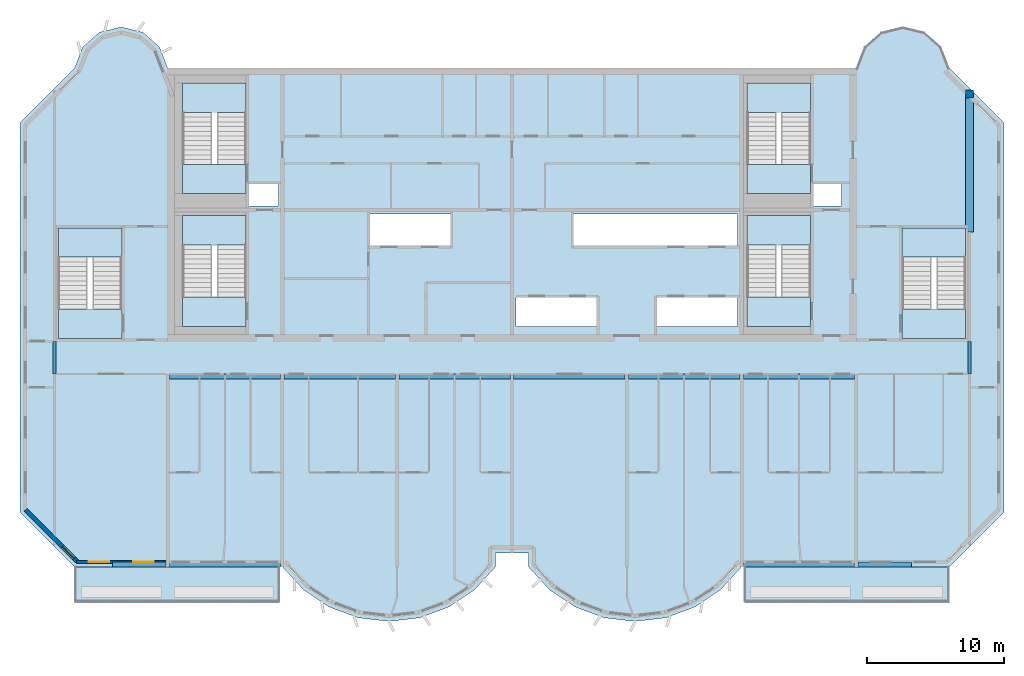
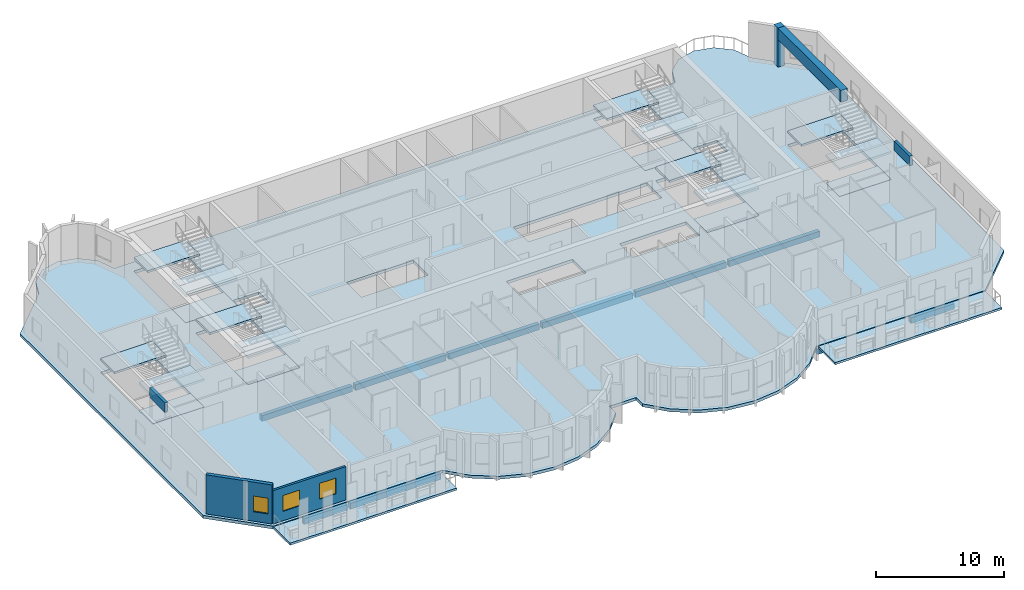
# One storey, part 1 of 11: 21 slabs, 13 beams, 3 windows, 2 walls, 1 column, 3 openings, 6 elements without a shape of their own.
"""IFC4 building model written with IfcOpenShell, lengths in metres."""

from ifc_helpers import new_model, si_unit, direction, frame, frame_2d, origin, origin_2d, place, context, subcontext, project, spatial, polyline, rectangle, outline, extrude, source, transform, mapped, material, layer, layer_set, material_profile, profile_set, type_object, element, fill, aggregate, save


model = new_model("IFC4")

# Units and contexts
model_context = context("Model", 3, precision=1e-05, world=origin(), true_north=direction((0.0, 1.0)))
body_context = subcontext(model_context, "Body", "Model", "MODEL_VIEW")
ifc_project = project(units=[si_unit("LENGTHUNIT", "METRE"), si_unit("AREAUNIT", "SQUARE_METRE"), si_unit("VOLUMEUNIT", "CUBIC_METRE"), si_unit("PLANEANGLEUNIT", "RADIAN"), si_unit("MASSUNIT", "GRAM", prefix="KILO")], contexts=[model_context])

# Site, building, storey
site_placement = place(None, origin())
site = spatial("IfcSite", under=ifc_project, at=site_placement, CompositionType="ELEMENT")
building_placement = place(site_placement, origin())
building = spatial("IfcBuilding", under=site, at=building_placement, Name="Vanashikhar Sky Hotel", CompositionType="ELEMENT")
storey_placement = place(building_placement, frame((0.0, 0.0, 305.699951171875)))
storey = spatial("IfcBuildingStorey", under=building, at=storey_placement, Name="L73", CompositionType="ELEMENT", Elevation=305.699951171875)

# Column
ifc_material_1 = material(Name="Concrete M50", Category="concrete")
ifc_material_profile_1 = material_profile(ifc_material_1, rectangle(XDim=0.60009765625, YDim=0.60009765625, at=origin_2d()))
ifc_profile_set_1 = profile_set([ifc_material_profile_1], Name="RC 600x600 column Concrete M50")
column_type = type_object("IfcColumnType", Name="RC 600x600 column Concrete M50", PredefinedType="COLUMN", material=ifc_profile_set_1)
shared_shape_1 = source(origin(), body_context, "Body", "SweptSolid", [
    extrude(rectangle(XDim=0.60009765625, YDim=0.60009765625, at=origin_2d()), origin(), (0.0, 0.0, 1.0), 3.719970703125),
])
column_placement = place(storey_placement, frame((83.875, 40.10009765625, 0.0), z_axis=(0.0, 0.0, 1.0), x_axis=(1.0, 0.0, 0.0)))
element("IfcColumn", 1, at=column_placement, inside=storey, type_object=column_type, Name="CL-L73-CRF", PredefinedType="COLUMN", context=body_context, shape_type="MappedRepresentation", body=[
    mapped(shared_shape_1, transform((0.0, 0.0, 0.0), scale=1.0)),
])

# Beams
ifc_material_profile_2 = material_profile(ifc_material_1, rectangle(XDim=0.60009765625, YDim=1.10009765625, at=origin_2d()))
ifc_profile_set_2 = profile_set([ifc_material_profile_2], Name="RC 600x1100 beam Concrete M50")
beam_type_1 = type_object("IfcBeamType", Name="RC 600x1100 beam Concrete M50", PredefinedType="BEAM", material=ifc_profile_set_2)
shared_shape_2 = source(origin(), body_context, "Body", "SweptSolid", [
    extrude(rectangle(XDim=0.60009765625, YDim=1.10009765625, at=origin_2d()), origin(), (0.0, 0.0, 1.0), 9.800048828125),
])
beam_placement = place(storey_placement, frame((83.875, 30.0, 3.170166015625), z_axis=(0.0, 1.0, 0.0), x_axis=(-1.0, 0.0, 0.0)))
element("IfcBeam", 2, at=beam_placement, inside=storey, type_object=beam_type_1, Name="LB-L73-XW11-O1", PredefinedType="BEAM", context=body_context, shape_type="MappedRepresentation", body=[
    mapped(shared_shape_2, transform((0.0, 0.0, 0.0), scale=1.0)),
])
ifc_material_profile_3 = material_profile(ifc_material_1, rectangle(XDim=0.25, YDim=0.89990234375, at=origin_2d()))
ifc_profile_set_3 = profile_set([ifc_material_profile_3], Name="RC 250x900 beam Concrete M50")
beam_type_2 = type_object("IfcBeamType", Name="RC 250x900 beam Concrete M50", PredefinedType="LINTEL", material=ifc_profile_set_3)
shared_shape_3 = source(origin(), body_context, "Body", "SweptSolid", [
    extrude(rectangle(XDim=0.25, YDim=0.89990234375, at=origin_2d()), origin(), (0.0, 0.0, 1.0), 2.39990234375),
])
for number, where, z_axis, x_axis, name in (
    (3, (16.925048828125, 19.60009765625, 3.27001953125), (0.0, 1.0, 0.0), (-1.0, 0.0, 0.0), "LB-L73-XW03"),
    (4, (83.875, 19.60009765625, 3.27001953125), (0.0, 1.0, 0.0), (-1.0, 0.0, 0.0), "LB-L73-XW11"),
):
    element("IfcBeam", number, at=place(storey_placement, frame(where, z_axis=z_axis, x_axis=x_axis)), inside=storey, type_object=beam_type_2, Name=name, PredefinedType="LINTEL", context=body_context, shape_type="MappedRepresentation", body=[
        mapped(shared_shape_3, transform((0.0, 0.0, 0.0), scale=1.0)),
    ])
ifc_material_profile_4 = material_profile(ifc_material_1, rectangle(XDim=0.35009765625, YDim=0.550048828125, at=origin_2d()))
ifc_profile_set_4 = profile_set([ifc_material_profile_4], Name="RC 350x550 beam Concrete M50")
beam_type_3 = type_object("IfcBeamType", Name="RC 350x550 beam Concrete M50", PredefinedType="SPANDREL", material=ifc_profile_set_4)
shared_shape_4 = source(origin(), body_context, "Body", "SweptSolid", [
    extrude(rectangle(XDim=0.35009765625, YDim=0.550048828125, at=origin_2d()), origin(), (0.0, 0.0, 1.0), 8.150146484375),
])
for number, where, z_axis, x_axis, name in (
    (5, (25.324951171875, 5.675048828125, -0.554931640625), (1.0, 0.0, 0.0), (0.0, 1.0, 0.0), "EB-L73-F01"),
    (6, (67.324951171875, 5.675048828125, -0.554931640625), (1.0, 0.0, 0.0), (0.0, 1.0, 0.0), "EB-L73-F03"),
    (7, (25.324951171875, 19.425048828125, -0.554931640625), (1.0, 0.0, 0.0), (0.0, 1.0, 0.0), "CB-L73-01"),
    (8, (50.52490234375, 19.425048828125, -0.554931640625), (1.0, 0.0, 0.0), (0.0, 1.0, 0.0), "CB-L73-04"),
    (9, (67.324951171875, 19.425048828125, -0.554931640625), (1.0, 0.0, 0.0), (0.0, 1.0, 0.0), "CB-L73-06"),
):
    element("IfcBeam", number, at=place(storey_placement, frame(where, z_axis=z_axis, x_axis=x_axis)), inside=storey, type_object=beam_type_3, Name=name, PredefinedType="SPANDREL", context=body_context, shape_type="MappedRepresentation", body=[
        mapped(shared_shape_4, transform((0.0, 0.0, 0.0), scale=1.0)),
    ])
ifc_material_profile_5 = material_profile(ifc_material_1, rectangle(XDim=0.35009765625, YDim=0.550048828125, at=origin_2d()))
ifc_profile_set_5 = profile_set([ifc_material_profile_5], Name="RC 350x550 cantilever beam Concrete M50")
beam_type_4 = type_object("IfcBeamType", Name="RC 350x550 cantilever beam Concrete M50", PredefinedType="SPANDREL", material=ifc_profile_set_5)
shared_shape_5 = source(origin(), body_context, "Body", "SweptSolid", [
    extrude(rectangle(XDim=0.35009765625, YDim=0.550048828125, at=origin_2d()), origin(), (0.0, 0.0, 1.0), 3.89990234375),
])
for number, where, z_axis, x_axis, name in (
    (10, (21.175048828125, 5.675048828125, -0.554931640625), (1.0, 0.0, 0.0), (0.0, 1.0, 0.0), "EB-L73-F02"),
    (11, (75.72509765625, 5.675048828125, -0.554931640625), (1.0, 0.0, 0.0), (0.0, 1.0, 0.0), "EB-L73-F04"),
):
    element("IfcBeam", number, at=place(storey_placement, frame(where, z_axis=z_axis, x_axis=x_axis)), inside=storey, type_object=beam_type_4, Name=name, PredefinedType="SPANDREL", context=body_context, shape_type="MappedRepresentation", body=[
        mapped(shared_shape_5, transform((0.0, 0.0, 0.0), scale=1.0)),
    ])
shared_shape_6 = source(origin(), body_context, "Body", "SweptSolid", [
    extrude(rectangle(XDim=0.35009765625, YDim=0.550048828125, at=origin_2d()), origin(), (0.0, 0.0, 1.0), 8.14990234375),
])
for number, where, z_axis, x_axis, name in (
    (12, (33.72509765625, 19.425048828125, -0.554931640625), (1.0, 0.0, 0.0), (0.0, 1.0, 0.0), "CB-L73-02"),
    (13, (42.125, 19.425048828125, -0.554931640625), (1.0, 0.0, 0.0), (0.0, 1.0, 0.0), "CB-L73-03"),
    (14, (58.925048828125, 19.425048828125, -0.554931640625), (1.0, 0.0, 0.0), (0.0, 1.0, 0.0), "CB-L73-05"),
):
    element("IfcBeam", number, at=place(storey_placement, frame(where, z_axis=z_axis, x_axis=x_axis)), inside=storey, type_object=beam_type_3, Name=name, PredefinedType="SPANDREL", context=body_context, shape_type="MappedRepresentation", body=[
        mapped(shared_shape_6, transform((0.0, 0.0, 0.0), scale=1.0)),
    ])

# Slabs
ifc_material_2 = material(Name="Concrete M40", Category="concrete")
ifc_layer_1 = layer(ifc_material_2, 0.280029296875)
ifc_layer_set_1 = layer_set([ifc_layer_1], Name="Floor slab 280 mm")
slab_type_1 = type_object("IfcSlabType", Name="Floor slab 280 mm", PredefinedType="FLOOR", material=ifc_layer_set_1)
shared_shape_7 = source(origin(), body_context, "Body", "SweptSolid", [
    extrude(outline(polyline([(49.199951171875, 5.5), (49.199951171875, 6.5), (51.60009765625, 6.5), (51.60009765625, 5.5), (53.133056640625, 3.825927734375), (55.01708984375, 2.55810546875), (57.14599609375, 1.76806640625), (59.39990234375, 1.5), (61.654052734375, 1.76806640625), (63.782958984375, 2.55810546875), (65.6669921875, 3.825927734375), (67.199951171875, 5.5), (82.39990234375, 5.5), (86.39990234375, 9.5), (86.39990234375, 38.0), (82.39990234375, 42.0), (81.81494140625, 43.527099609375), (80.587890625, 44.610107421875), (79.0, 45.0), (77.412109375, 44.610107421875), (76.18505859375, 43.527099609375), (75.60009765625, 42.0), (25.199951171875, 42.0), (24.614990234375, 43.527099609375), (23.387939453125, 44.610107421875), (21.800048828125, 45.0), (20.2119140625, 44.610107421875), (18.985107421875, 43.527099609375), (18.39990234375, 42.0), (14.39990234375, 38.0), (14.39990234375, 9.5), (18.39990234375, 5.5), (33.60009765625, 5.5), (35.133056640625, 3.825927734375), (37.01708984375, 2.55810546875), (39.14599609375, 1.76806640625), (41.39990234375, 1.5), (43.654052734375, 1.76806640625), (45.782958984375, 2.55810546875), (47.6669921875, 3.825927734375), (49.199951171875, 5.5)]), holes=[polyline([(33.300048828125, 33.60009765625), (31.050048828125, 33.60009765625), (31.050048828125, 31.89990234375), (33.300048828125, 31.89990234375), (33.300048828125, 33.60009765625)]), polyline([(39.89990234375, 31.300048828125), (39.89990234375, 29.0), (45.89990234375, 29.0), (45.89990234375, 31.300048828125), (39.89990234375, 31.300048828125)]), polyline([(50.699951171875, 25.199951171875), (50.699951171875, 23.10009765625), (56.699951171875, 23.10009765625), (56.699951171875, 25.199951171875), (50.699951171875, 25.199951171875)]), polyline([(66.89990234375, 29.0), (66.89990234375, 31.300048828125), (54.89990234375, 31.300048828125), (54.89990234375, 29.0), (66.89990234375, 29.0)]), polyline([(60.89990234375, 25.199951171875), (60.89990234375, 23.10009765625), (66.89990234375, 23.10009765625), (66.89990234375, 25.199951171875), (60.89990234375, 25.199951171875)]), polyline([(74.5, 33.60009765625), (72.35009765625, 33.60009765625), (72.35009765625, 31.89990234375), (74.5, 31.89990234375), (74.5, 33.60009765625)]), polyline([(30.949951171875, 23.10009765625), (30.949951171875, 31.199951171875), (26.300048828125, 31.199951171875), (26.300048828125, 23.10009765625), (30.949951171875, 23.10009765625)]), polyline([(72.25, 23.10009765625), (72.25, 31.199951171875), (67.60009765625, 31.199951171875), (67.60009765625, 23.10009765625), (72.25, 23.10009765625)]), polyline([(30.949951171875, 32.800048828125), (30.949951171875, 40.89990234375), (26.300048828125, 40.89990234375), (26.300048828125, 32.800048828125), (30.949951171875, 32.800048828125)]), polyline([(72.25, 32.800048828125), (72.25, 40.89990234375), (67.60009765625, 40.89990234375), (67.60009765625, 32.800048828125), (72.25, 32.800048828125)]), polyline([(83.60009765625, 22.199951171875), (83.60009765625, 30.300048828125), (78.949951171875, 30.300048828125), (78.949951171875, 22.199951171875), (83.60009765625, 22.199951171875)]), polyline([(21.85009765625, 22.199951171875), (21.85009765625, 30.300048828125), (17.199951171875, 30.300048828125), (17.199951171875, 22.199951171875), (21.85009765625, 22.199951171875)])]), origin(), (0.0, 0.0, 1.0), 0.280029296875),
])
slab_1_placement = place(storey_placement, frame((0.0, 0.0, -0.280029296875)))
element("IfcSlab", 15, at=slab_1_placement, inside=storey, type_object=slab_type_1, Name="Floor slab L73", PredefinedType="FLOOR", context=body_context, shape_type="MappedRepresentation", body=[
    mapped(shared_shape_7, transform((0.0, 0.0, 0.0), scale=1.0)),
])
ifc_layer_2 = layer(ifc_material_2, 0.199951171875)
ifc_layer_set_2 = layer_set([ifc_layer_2], Name="Balcony slab 200 mm")
slab_type_2 = type_object("IfcSlabType", Name="Balcony slab 200 mm", PredefinedType="USERDEFINED", material=ifc_layer_set_2)
shared_shape_8 = source(origin(), body_context, "Body", "SweptSolid", [
    extrude(outline(polyline([(18.39990234375, 2.89990234375), (33.39990234375, 2.89990234375), (33.39990234375, 5.5), (18.39990234375, 5.5), (18.39990234375, 2.89990234375)])), origin(), (0.0, 0.0, 1.0), 0.199951171875),
])
slab_2_placement = place(storey_placement, frame((0.0, 0.0, -0.25)))
element("IfcSlab", 16, at=slab_2_placement, inside=storey, type_object=slab_type_2, Name="Balcony slab L73 1", ObjectType="BALCONY", PredefinedType="USERDEFINED", context=body_context, shape_type="MappedRepresentation", body=[
    mapped(shared_shape_8, transform((0.0, 0.0, 0.0), scale=1.0)),
])
shared_shape_9 = source(origin(), body_context, "Body", "SweptSolid", [
    extrude(outline(polyline([(67.39990234375, 2.89990234375), (82.39990234375, 2.89990234375), (82.39990234375, 5.5), (67.39990234375, 5.5), (67.39990234375, 2.89990234375)])), origin(), (0.0, 0.0, 1.0), 0.199951171875),
])
slab_3_placement = place(storey_placement, frame((0.0, 0.0, -0.25)))
element("IfcSlab", 17, at=slab_3_placement, inside=storey, type_object=slab_type_2, Name="Balcony slab L73 2", ObjectType="BALCONY", PredefinedType="USERDEFINED", context=body_context, shape_type="MappedRepresentation", body=[
    mapped(shared_shape_9, transform((0.0, 0.0, 0.0), scale=1.0)),
])

# Stair, slabs
stair_type = type_object("IfcStairType", Name="Exit stair 2150", PredefinedType="DOUBLE_RETURN_STAIR", material=ifc_material_2)
stair_1_placement = place(storey_placement, origin())
stair_1 = element("IfcStair", 18, at=stair_1_placement, inside=storey, type_object=stair_type, Name="L73 Exit stair 1", PredefinedType="DOUBLE_RETURN_STAIR")
ifc_layer_3 = layer(ifc_material_2, 0.199951171875)
ifc_layer_set_3 = layer_set([ifc_layer_3], Name="Stair landing 200")
slab_type_3 = type_object("IfcSlabType", Name="Stair landing 200", PredefinedType="LANDING", material=ifc_layer_set_3)
shared_shape_10 = source(origin(), body_context, "Body", "SweptSolid", [
    extrude(outline(polyline([(30.949951171875, 23.10009765625), (30.949951171875, 25.25), (26.300048828125, 25.25), (26.300048828125, 23.10009765625), (30.949951171875, 23.10009765625)])), origin(), (0.0, 0.0, 1.0), 0.199951171875),
])
slab_4_placement = place(storey_placement, frame((0.0, 0.0, 2.466796875)))
slab_4 = element("IfcSlab", 19, at=slab_4_placement, type_object=slab_type_3, Name="ST-C1 landing 2", PredefinedType="LANDING", context=body_context, shape_type="MappedRepresentation", body=[
    mapped(shared_shape_10, transform((0.0, 0.0, 0.0), scale=1.0)),
])
shared_shape_11 = source(origin(), body_context, "Body", "SweptSolid", [
    extrude(outline(polyline([(30.949951171875, 29.050048828125), (30.949951171875, 31.199951171875), (26.300048828125, 31.199951171875), (26.300048828125, 29.050048828125), (30.949951171875, 29.050048828125)])), origin(), (0.0, 0.0, 1.0), 0.2001953125),
])
slab_5_placement = place(storey_placement, frame((0.0, 0.0, 1.13330078125)))
slab_5 = element("IfcSlab", 20, at=slab_5_placement, type_object=slab_type_3, Name="ST-C1 landing 1", PredefinedType="LANDING", context=body_context, shape_type="MappedRepresentation", body=[
    mapped(shared_shape_11, transform((0.0, 0.0, 0.0), scale=1.0)),
])
aggregate(stair_1, [slab_5, slab_4])

# Slab
ifc_layer_4 = layer(ifc_material_2, 0.280029296875)
ifc_layer_set_4 = layer_set([ifc_layer_4], Name="Stair floor landing 280")
slab_type_4 = type_object("IfcSlabType", Name="Stair floor landing 280", PredefinedType="LANDING", material=ifc_layer_set_4)
shared_shape_12 = source(origin(), body_context, "Body", "SweptSolid", [
    extrude(outline(polyline([(30.949951171875, 23.10009765625), (30.949951171875, 25.25), (26.300048828125, 25.25), (26.300048828125, 23.10009765625), (30.949951171875, 23.10009765625)])), origin(), (0.0, 0.0, 1.0), 0.280029296875),
])
slab_6_placement = place(storey_placement, frame((0.0, 0.0, -0.280029296875)))
element("IfcSlab", 21, at=slab_6_placement, inside=storey, type_object=slab_type_4, Name="Exit stair 1 floor landing", PredefinedType="LANDING", context=body_context, shape_type="MappedRepresentation", body=[
    mapped(shared_shape_12, transform((0.0, 0.0, 0.0), scale=1.0)),
])

# Stair, slabs
stair_2_placement = place(storey_placement, origin())
stair_2 = element("IfcStair", 22, at=stair_2_placement, inside=storey, type_object=stair_type, Name="L73 Exit stair 2", PredefinedType="DOUBLE_RETURN_STAIR")
shared_shape_13 = source(origin(), body_context, "Body", "SweptSolid", [
    extrude(outline(polyline([(72.25, 23.10009765625), (72.25, 25.25), (67.60009765625, 25.25), (67.60009765625, 23.10009765625), (72.25, 23.10009765625)])), origin(), (0.0, 0.0, 1.0), 0.199951171875),
])
slab_7_placement = place(storey_placement, frame((0.0, 0.0, 2.466796875)))
slab_7 = element("IfcSlab", 23, at=slab_7_placement, type_object=slab_type_3, Name="ST-C2 landing 2", PredefinedType="LANDING", context=body_context, shape_type="MappedRepresentation", body=[
    mapped(shared_shape_13, transform((0.0, 0.0, 0.0), scale=1.0)),
])
shared_shape_14 = source(origin(), body_context, "Body", "SweptSolid", [
    extrude(outline(polyline([(72.25, 29.050048828125), (72.25, 31.199951171875), (67.60009765625, 31.199951171875), (67.60009765625, 29.050048828125), (72.25, 29.050048828125)])), origin(), (0.0, 0.0, 1.0), 0.2001953125),
])
slab_8_placement = place(storey_placement, frame((0.0, 0.0, 1.13330078125)))
slab_8 = element("IfcSlab", 24, at=slab_8_placement, type_object=slab_type_3, Name="ST-C2 landing 1", PredefinedType="LANDING", context=body_context, shape_type="MappedRepresentation", body=[
    mapped(shared_shape_14, transform((0.0, 0.0, 0.0), scale=1.0)),
])
aggregate(stair_2, [slab_8, slab_7])

# Slab
shared_shape_15 = source(origin(), body_context, "Body", "SweptSolid", [
    extrude(outline(polyline([(72.25, 23.10009765625), (72.25, 25.25), (67.60009765625, 25.25), (67.60009765625, 23.10009765625), (72.25, 23.10009765625)])), origin(), (0.0, 0.0, 1.0), 0.280029296875),
])
slab_9_placement = place(storey_placement, frame((0.0, 0.0, -0.280029296875)))
element("IfcSlab", 25, at=slab_9_placement, inside=storey, type_object=slab_type_4, Name="Exit stair 2 floor landing", PredefinedType="LANDING", context=body_context, shape_type="MappedRepresentation", body=[
    mapped(shared_shape_15, transform((0.0, 0.0, 0.0), scale=1.0)),
])

# Stair, slabs
stair_3_placement = place(storey_placement, origin())
stair_3 = element("IfcStair", 26, at=stair_3_placement, inside=storey, type_object=stair_type, Name="L73 Exit stair 3", PredefinedType="DOUBLE_RETURN_STAIR")
shared_shape_16 = source(origin(), body_context, "Body", "SweptSolid", [
    extrude(outline(polyline([(21.85009765625, 22.199951171875), (21.85009765625, 24.35009765625), (17.199951171875, 24.35009765625), (17.199951171875, 22.199951171875), (21.85009765625, 22.199951171875)])), origin(), (0.0, 0.0, 1.0), 0.199951171875),
])
slab_10_placement = place(storey_placement, frame((0.0, 0.0, 2.466796875)))
slab_10 = element("IfcSlab", 27, at=slab_10_placement, type_object=slab_type_3, Name="ST-W landing 2", PredefinedType="LANDING", context=body_context, shape_type="MappedRepresentation", body=[
    mapped(shared_shape_16, transform((0.0, 0.0, 0.0), scale=1.0)),
])
shared_shape_17 = source(origin(), body_context, "Body", "SweptSolid", [
    extrude(outline(polyline([(21.85009765625, 28.14990234375), (21.85009765625, 30.300048828125), (17.199951171875, 30.300048828125), (17.199951171875, 28.14990234375), (21.85009765625, 28.14990234375)])), origin(), (0.0, 0.0, 1.0), 0.2001953125),
])
slab_11_placement = place(storey_placement, frame((0.0, 0.0, 1.13330078125)))
slab_11 = element("IfcSlab", 28, at=slab_11_placement, type_object=slab_type_3, Name="ST-W landing 1", PredefinedType="LANDING", context=body_context, shape_type="MappedRepresentation", body=[
    mapped(shared_shape_17, transform((0.0, 0.0, 0.0), scale=1.0)),
])
aggregate(stair_3, [slab_11, slab_10])

# Slab
shared_shape_18 = source(origin(), body_context, "Body", "SweptSolid", [
    extrude(outline(polyline([(21.85009765625, 22.199951171875), (21.85009765625, 24.35009765625), (17.199951171875, 24.35009765625), (17.199951171875, 22.199951171875), (21.85009765625, 22.199951171875)])), origin(), (0.0, 0.0, 1.0), 0.280029296875),
])
slab_12_placement = place(storey_placement, frame((0.0, 0.0, -0.280029296875)))
element("IfcSlab", 29, at=slab_12_placement, inside=storey, type_object=slab_type_4, Name="Exit stair 3 floor landing", PredefinedType="LANDING", context=body_context, shape_type="MappedRepresentation", body=[
    mapped(shared_shape_18, transform((0.0, 0.0, 0.0), scale=1.0)),
])

# Stair, slabs
stair_4_placement = place(storey_placement, origin())
stair_4 = element("IfcStair", 30, at=stair_4_placement, inside=storey, type_object=stair_type, Name="L73 Exit stair 4", PredefinedType="DOUBLE_RETURN_STAIR")
shared_shape_19 = source(origin(), body_context, "Body", "SweptSolid", [
    extrude(outline(polyline([(83.60009765625, 22.199951171875), (83.60009765625, 24.35009765625), (78.949951171875, 24.35009765625), (78.949951171875, 22.199951171875), (83.60009765625, 22.199951171875)])), origin(), (0.0, 0.0, 1.0), 0.199951171875),
])
slab_13_placement = place(storey_placement, frame((0.0, 0.0, 2.466796875)))
slab_13 = element("IfcSlab", 31, at=slab_13_placement, type_object=slab_type_3, Name="ST-E landing 2", PredefinedType="LANDING", context=body_context, shape_type="MappedRepresentation", body=[
    mapped(shared_shape_19, transform((0.0, 0.0, 0.0), scale=1.0)),
])
shared_shape_20 = source(origin(), body_context, "Body", "SweptSolid", [
    extrude(outline(polyline([(83.60009765625, 28.14990234375), (83.60009765625, 30.300048828125), (78.949951171875, 30.300048828125), (78.949951171875, 28.14990234375), (83.60009765625, 28.14990234375)])), origin(), (0.0, 0.0, 1.0), 0.2001953125),
])
slab_14_placement = place(storey_placement, frame((0.0, 0.0, 1.13330078125)))
slab_14 = element("IfcSlab", 32, at=slab_14_placement, type_object=slab_type_3, Name="ST-E landing 1", PredefinedType="LANDING", context=body_context, shape_type="MappedRepresentation", body=[
    mapped(shared_shape_20, transform((0.0, 0.0, 0.0), scale=1.0)),
])
aggregate(stair_4, [slab_14, slab_13])

# Slab
shared_shape_21 = source(origin(), body_context, "Body", "SweptSolid", [
    extrude(outline(polyline([(83.60009765625, 22.199951171875), (83.60009765625, 24.35009765625), (78.949951171875, 24.35009765625), (78.949951171875, 22.199951171875), (83.60009765625, 22.199951171875)])), origin(), (0.0, 0.0, 1.0), 0.280029296875),
])
slab_15_placement = place(storey_placement, frame((0.0, 0.0, -0.280029296875)))
element("IfcSlab", 33, at=slab_15_placement, inside=storey, type_object=slab_type_4, Name="Exit stair 4 floor landing", PredefinedType="LANDING", context=body_context, shape_type="MappedRepresentation", body=[
    mapped(shared_shape_21, transform((0.0, 0.0, 0.0), scale=1.0)),
])

# Stair, slabs
stair_5_placement = place(storey_placement, origin())
stair_5 = element("IfcStair", 34, at=stair_5_placement, inside=storey, type_object=stair_type, Name="L73 Exit stair 5", PredefinedType="DOUBLE_RETURN_STAIR")
shared_shape_22 = source(origin(), body_context, "Body", "SweptSolid", [
    extrude(outline(polyline([(30.949951171875, 32.800048828125), (30.949951171875, 34.949951171875), (26.300048828125, 34.949951171875), (26.300048828125, 32.800048828125), (30.949951171875, 32.800048828125)])), origin(), (0.0, 0.0, 1.0), 0.199951171875),
])
slab_16_placement = place(storey_placement, frame((0.0, 0.0, 2.466796875)))
slab_16 = element("IfcSlab", 35, at=slab_16_placement, type_object=slab_type_3, Name="ST-C3 landing 2", PredefinedType="LANDING", context=body_context, shape_type="MappedRepresentation", body=[
    mapped(shared_shape_22, transform((0.0, 0.0, 0.0), scale=1.0)),
])
shared_shape_23 = source(origin(), body_context, "Body", "SweptSolid", [
    extrude(outline(polyline([(30.949951171875, 38.75), (30.949951171875, 40.89990234375), (26.300048828125, 40.89990234375), (26.300048828125, 38.75), (30.949951171875, 38.75)])), origin(), (0.0, 0.0, 1.0), 0.2001953125),
])
slab_17_placement = place(storey_placement, frame((0.0, 0.0, 1.13330078125)))
slab_17 = element("IfcSlab", 36, at=slab_17_placement, type_object=slab_type_3, Name="ST-C3 landing 1", PredefinedType="LANDING", context=body_context, shape_type="MappedRepresentation", body=[
    mapped(shared_shape_23, transform((0.0, 0.0, 0.0), scale=1.0)),
])
aggregate(stair_5, [slab_17, slab_16])

# Slab
shared_shape_24 = source(origin(), body_context, "Body", "SweptSolid", [
    extrude(outline(polyline([(30.949951171875, 32.800048828125), (30.949951171875, 34.949951171875), (26.300048828125, 34.949951171875), (26.300048828125, 32.800048828125), (30.949951171875, 32.800048828125)])), origin(), (0.0, 0.0, 1.0), 0.280029296875),
])
slab_18_placement = place(storey_placement, frame((0.0, 0.0, -0.280029296875)))
element("IfcSlab", 37, at=slab_18_placement, inside=storey, type_object=slab_type_4, Name="Exit stair 5 floor landing", PredefinedType="LANDING", context=body_context, shape_type="MappedRepresentation", body=[
    mapped(shared_shape_24, transform((0.0, 0.0, 0.0), scale=1.0)),
])

# Stair, slabs
stair_6_placement = place(storey_placement, origin())
stair_6 = element("IfcStair", 38, at=stair_6_placement, inside=storey, type_object=stair_type, Name="L73 Exit stair 6", PredefinedType="DOUBLE_RETURN_STAIR")
shared_shape_25 = source(origin(), body_context, "Body", "SweptSolid", [
    extrude(outline(polyline([(72.25, 32.800048828125), (72.25, 34.949951171875), (67.60009765625, 34.949951171875), (67.60009765625, 32.800048828125), (72.25, 32.800048828125)])), origin(), (0.0, 0.0, 1.0), 0.199951171875),
])
slab_19_placement = place(storey_placement, frame((0.0, 0.0, 2.466796875)))
slab_19 = element("IfcSlab", 39, at=slab_19_placement, type_object=slab_type_3, Name="ST-C4 landing 2", PredefinedType="LANDING", context=body_context, shape_type="MappedRepresentation", body=[
    mapped(shared_shape_25, transform((0.0, 0.0, 0.0), scale=1.0)),
])
shared_shape_26 = source(origin(), body_context, "Body", "SweptSolid", [
    extrude(outline(polyline([(72.25, 38.75), (72.25, 40.89990234375), (67.60009765625, 40.89990234375), (67.60009765625, 38.75), (72.25, 38.75)])), origin(), (0.0, 0.0, 1.0), 0.2001953125),
])
slab_20_placement = place(storey_placement, frame((0.0, 0.0, 1.13330078125)))
slab_20 = element("IfcSlab", 40, at=slab_20_placement, type_object=slab_type_3, Name="ST-C4 landing 1", PredefinedType="LANDING", context=body_context, shape_type="MappedRepresentation", body=[
    mapped(shared_shape_26, transform((0.0, 0.0, 0.0), scale=1.0)),
])
aggregate(stair_6, [slab_20, slab_19])

# Slab
shared_shape_27 = source(origin(), body_context, "Body", "SweptSolid", [
    extrude(outline(polyline([(72.25, 32.800048828125), (72.25, 34.949951171875), (67.60009765625, 34.949951171875), (67.60009765625, 32.800048828125), (72.25, 32.800048828125)])), origin(), (0.0, 0.0, 1.0), 0.280029296875),
])
slab_21_placement = place(storey_placement, frame((0.0, 0.0, -0.280029296875)))
element("IfcSlab", 41, at=slab_21_placement, inside=storey, type_object=slab_type_4, Name="Exit stair 6 floor landing", PredefinedType="LANDING", context=body_context, shape_type="MappedRepresentation", body=[
    mapped(shared_shape_27, transform((0.0, 0.0, 0.0), scale=1.0)),
])

# Wall, openings, windows
ifc_layer_5 = layer(ifc_material_1, 0.199951171875)
ifc_layer_set_5 = layer_set([ifc_layer_5], Name="Front window wall 200")
wall_type_1 = type_object("IfcWallType", Name="Front window wall 200", PredefinedType="SOLIDWALL", material=ifc_layer_set_5)
shared_shape_28 = source(origin(), body_context, "Body", "SweptSolid", [
    extrude(rectangle(XDim=6.530029296875, YDim=0.199951171875, at=frame_2d((3.26513671875, 0.0))), origin(), (0.0, 0.0, 1.0), 3.170166015625),
])
wall_1_placement = place(storey_placement, frame((18.544921875, 5.85009765625, 0.0), z_axis=(0.0, 0.0, 1.0), x_axis=(1.0, 0.0, 0.0)))
wall_1 = element("IfcWall", 42, at=wall_1_placement, inside=storey, type_object=wall_type_1, Name="Front window wall", PredefinedType="SOLIDWALL", context=body_context, shape_type="MappedRepresentation", body=[
    mapped(shared_shape_28, transform((0.0, 0.0, 0.0), scale=1.0)),
])
shared_shape_29 = source(origin(), body_context, "Body", "SweptSolid", [
    extrude(rectangle(XDim=1.5, YDim=1.5, at=frame_2d((0.75, 0.75))), frame((0.0, 0.10986328125, 0.0), z_axis=(0.0, -1.0, 0.0), x_axis=(1.0, 0.0, 0.0)), (0.0, 0.0, 1.0), 0.219970703125),
])
opening_1_placement = place(wall_1_placement, frame((0.882568359375, 0.0, 0.89990234375)))
opening_1 = element("IfcOpeningElement", 43, at=opening_1_placement, cuts=wall_1, Name="Opening WN-1", PredefinedType="OPENING", context=body_context, shape_type="MappedRepresentation", body=[
    mapped(shared_shape_29, transform((0.0, 0.0, 0.0), scale=1.0)),
])
opening_2_placement = place(wall_1_placement, frame((4.1474609375, 0.0, 0.89990234375)))
opening_2 = element("IfcOpeningElement", 44, at=opening_2_placement, cuts=wall_1, Name="Opening WN-1", PredefinedType="OPENING", context=body_context, shape_type="MappedRepresentation", body=[
    mapped(shared_shape_29, transform((0.0, 0.0, 0.0), scale=1.0)),
])
ifc_material_3 = material(Name="Glass", Category="glass")
window_type_1 = type_object("IfcWindowType", Name="Window 1500 x 1500", PartitioningType="SINGLE_PANEL", PredefinedType="WINDOW", material=ifc_material_3)
shared_shape_30 = source(origin(), body_context, "Body", "SweptSolid", [
    extrude(rectangle(XDim=1.5, YDim=1.5, at=frame_2d((0.75, 0.75))), frame((0.0, 0.030029296875, 0.0), z_axis=(0.0, -1.0, 0.0), x_axis=(1.0, 0.0, 0.0)), (0.0, 0.0, 1.0), 0.06005859375),
])
window_1_placement = place(opening_1_placement, origin())
window_1 = element("IfcWindow", 45, at=window_1_placement, inside=storey, type_object=window_type_1, Name="Window WN-1", OverallHeight=1.5, OverallWidth=1.5, PartitioningType="SINGLE_PANEL", PredefinedType="WINDOW", context=body_context, shape_type="MappedRepresentation", body=[
    mapped(shared_shape_30, transform((0.0, 0.0, 0.0), scale=1.0)),
])
fill(opening_1, window_1)
window_2_placement = place(opening_2_placement, origin())
window_2 = element("IfcWindow", 46, at=window_2_placement, inside=storey, type_object=window_type_1, Name="Window WN-1", OverallHeight=1.5, OverallWidth=1.5, PartitioningType="SINGLE_PANEL", PredefinedType="WINDOW", context=body_context, shape_type="MappedRepresentation", body=[
    mapped(shared_shape_30, transform((0.0, 0.0, 0.0), scale=1.0)),
])
fill(opening_2, window_2)

# Wall, opening, window
ifc_layer_6 = layer(ifc_material_1, 0.300048828125)
ifc_layer_set_6 = layer_set([ifc_layer_6], Name="Lobe wall 300")
wall_type_2 = type_object("IfcWallType", Name="Lobe wall 300", PredefinedType="SOLIDWALL", material=ifc_layer_set_6)
shared_shape_31 = source(origin(), body_context, "Body", "SweptSolid", [
    extrude(rectangle(XDim=5.32568359375, YDim=0.300048828125, at=frame_2d((2.662841796875, 0.0))), origin(), (0.0, 0.0, 1.0), 3.719970703125),
])
wall_2_placement = place(storey_placement, frame((14.800048828125, 9.665771484375, 0.0), z_axis=(0.0, 0.0, 1.0), x_axis=(0.707083859269, -0.707129702361, 0.0)))
wall_2 = element("IfcWall", 47, at=wall_2_placement, inside=storey, type_object=wall_type_2, Name="Corner wall", PredefinedType="SOLIDWALL", context=body_context, shape_type="MappedRepresentation", body=[
    mapped(shared_shape_31, transform((0.0, 0.0, 0.0), scale=1.0)),
])
shared_shape_32 = source(origin(), body_context, "Body", "SweptSolid", [
    extrude(rectangle(XDim=1.199951171875, YDim=1.5, at=frame_2d((0.60009765625, 0.75))), frame((0.0, 0.16015625, 0.0), z_axis=(0.0, -1.0, 0.0), x_axis=(1.0, 0.0, 0.0)), (0.0, 0.0, 1.0), 0.320068359375),
])
opening_3_placement = place(wall_2_placement, frame((3.8154296875, 0.0, 0.89990234375)))
opening_3 = element("IfcOpeningElement", 48, at=opening_3_placement, cuts=wall_2, Name="Opening WN-3", PredefinedType="OPENING", context=body_context, shape_type="MappedRepresentation", body=[
    mapped(shared_shape_32, transform((0.0, 0.0, 0.0), scale=1.0)),
])
window_type_2 = type_object("IfcWindowType", Name="Corridor end window 1200 x 1500", PartitioningType="SINGLE_PANEL", PredefinedType="WINDOW", material=ifc_material_3)
shared_shape_33 = source(origin(), body_context, "Body", "SweptSolid", [
    extrude(rectangle(XDim=1.199951171875, YDim=1.5, at=frame_2d((0.60009765625, 0.75))), frame((0.0, 0.030029296875, 0.0), z_axis=(0.0, -1.0, 0.0), x_axis=(1.0, 0.0, 0.0)), (0.0, 0.0, 1.0), 0.06005859375),
])
window_3_placement = place(opening_3_placement, origin())
window_3 = element("IfcWindow", 49, at=window_3_placement, inside=storey, type_object=window_type_2, Name="Window WN-3", OverallHeight=1.5, OverallWidth=1.199951171875, PartitioningType="SINGLE_PANEL", PredefinedType="WINDOW", context=body_context, shape_type="MappedRepresentation", body=[
    mapped(shared_shape_33, transform((0.0, 0.0, 0.0), scale=1.0)),
])
fill(opening_3, window_3)

save(model, "model.ifc")
